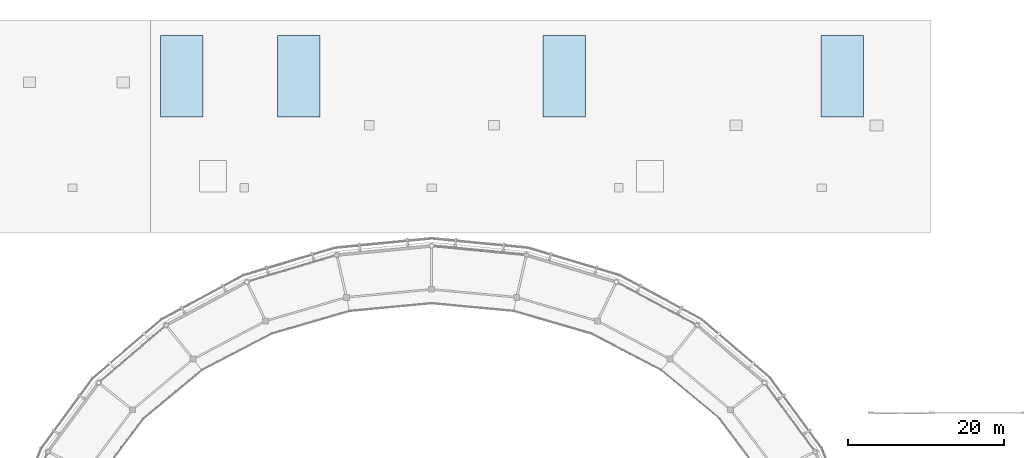
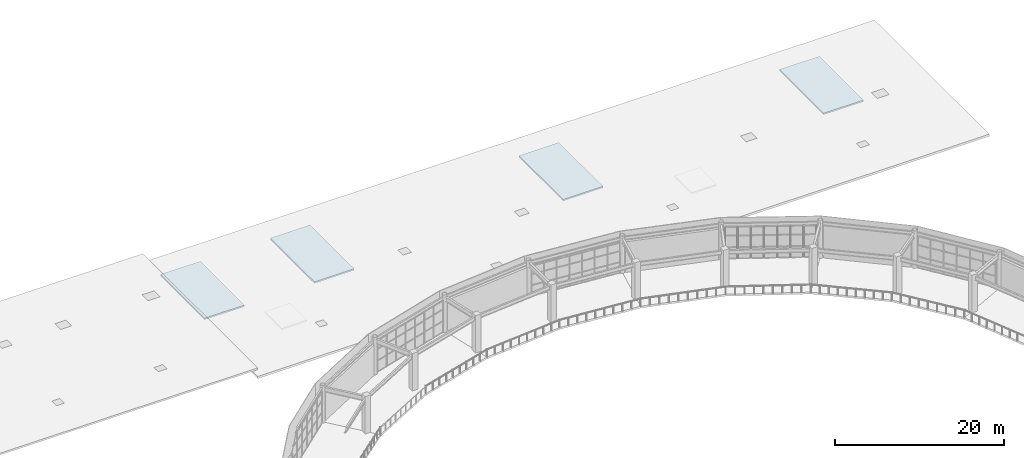
# One storey, part 49 of 70: 4 slabs.
"""IFC4 building model written with IfcOpenShell, lengths in metres."""

from ifc_helpers import new_model, si_unit, direction, frame, origin, place, context, subcontext, project, spatial, polyline, outline, extrude, material, layer, layer_set, type_object, element, save


model = new_model("IFC4")

# Units and contexts
model_context = context("Model", 3, precision=1e-05, world=origin(), true_north=direction((0.0, 1.0)))
body_context = subcontext(model_context, "Body", "Model", "MODEL_VIEW")
ifc_project = project(units=[si_unit("LENGTHUNIT", "METRE"), si_unit("AREAUNIT", "SQUARE_METRE"), si_unit("VOLUMEUNIT", "CUBIC_METRE"), si_unit("PLANEANGLEUNIT", "RADIAN"), si_unit("MASSUNIT", "GRAM", prefix="KILO")], contexts=[model_context])

# Site, building, storey
site_placement = place(None, origin())
site = spatial("IfcSite", under=ifc_project, at=site_placement, CompositionType="ELEMENT")
building_placement = place(site_placement, origin())
building = spatial("IfcBuilding", under=site, at=building_placement, Name="Cuetzalor Civic Arena", CompositionType="ELEMENT")
storey_placement = place(building_placement, frame((0.0, 0.0, 21.0)))
storey = spatial("IfcBuildingStorey", under=building, at=storey_placement, Name="L04", CompositionType="ELEMENT", Elevation=21.0)

# Slabs
ifc_material = material(Name="Concrete C40/50", Category="concrete")
ifc_layer = layer(ifc_material, 0.219970703125)
ifc_layer_set = layer_set([ifc_layer], Name="Concrete C40/50")
slab_type = type_object("IfcSlabType", Name="LiftShaftRoofCapSlab_220", PredefinedType="ROOF", material=ifc_layer_set)
slab_1_placement = place(storey_placement, frame((0.0, 0.0, -1.199951171875)))
element("IfcSlab", 1, at=slab_1_placement, inside=storey, type_object=slab_type, Name="Stair Core Enclosure Cap Slab ST-24", PredefinedType="ROOF", context=body_context, shape_type="SweptSolid", body=[
    extrude(outline(polyline([(-34.719970703125, 63.080078125), (-29.280029296875, 63.080078125), (-29.280029296875, 73.52001953125), (-34.719970703125, 73.52001953125), (-34.719970703125, 63.080078125)])), origin(), (0.0, 0.0, 1.0), 0.219970703125),
])
slab_2_placement = place(storey_placement, frame((0.0, 0.0, -1.199951171875)))
element("IfcSlab", 2, at=slab_2_placement, inside=storey, type_object=slab_type, Name="Stair Core Enclosure Cap Slab ST-25", PredefinedType="ROOF", context=body_context, shape_type="SweptSolid", body=[
    extrude(outline(polyline([(-19.719970703125, 63.080078125), (-14.280029296875, 63.080078125), (-14.280029296875, 73.52001953125), (-19.719970703125, 73.52001953125), (-19.719970703125, 63.080078125)])), origin(), (0.0, 0.0, 1.0), 0.219970703125),
])
slab_3_placement = place(storey_placement, frame((0.0, 0.0, -1.199951171875)))
element("IfcSlab", 3, at=slab_3_placement, inside=storey, type_object=slab_type, Name="Stair Core Enclosure Cap Slab ST-26", PredefinedType="ROOF", context=body_context, shape_type="SweptSolid", body=[
    extrude(outline(polyline([(14.280029296875, 63.080078125), (19.719970703125, 63.080078125), (19.719970703125, 73.52001953125), (14.280029296875, 73.52001953125), (14.280029296875, 63.080078125)])), origin(), (0.0, 0.0, 1.0), 0.219970703125),
])
slab_4_placement = place(storey_placement, frame((0.0, 0.0, -1.199951171875)))
element("IfcSlab", 4, at=slab_4_placement, inside=storey, type_object=slab_type, Name="Stair Core Enclosure Cap Slab ST-27", PredefinedType="ROOF", context=body_context, shape_type="SweptSolid", body=[
    extrude(outline(polyline([(49.8798828125, 63.080078125), (55.320068359375, 63.080078125), (55.320068359375, 73.52001953125), (49.8798828125, 73.52001953125), (49.8798828125, 63.080078125)])), origin(), (0.0, 0.0, 1.0), 0.219970703125),
])

save(model, "model.ifc")
